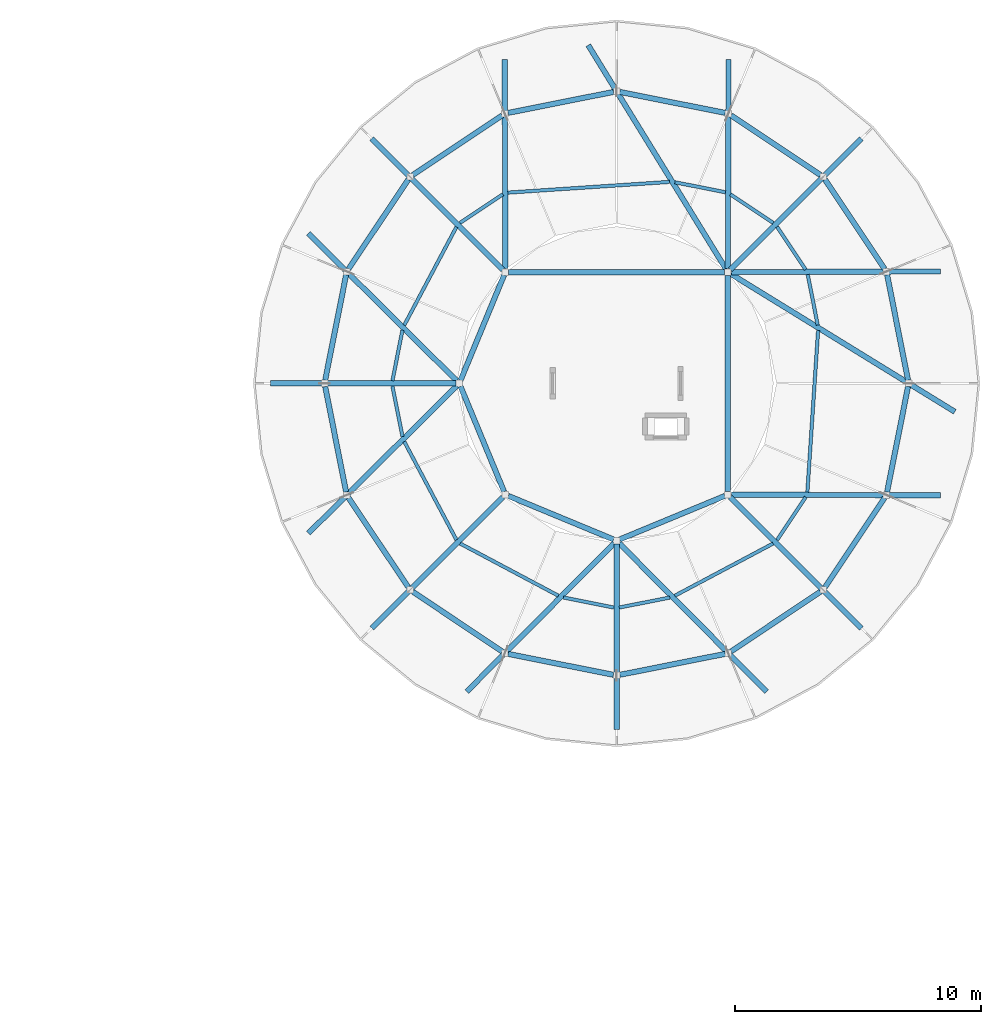
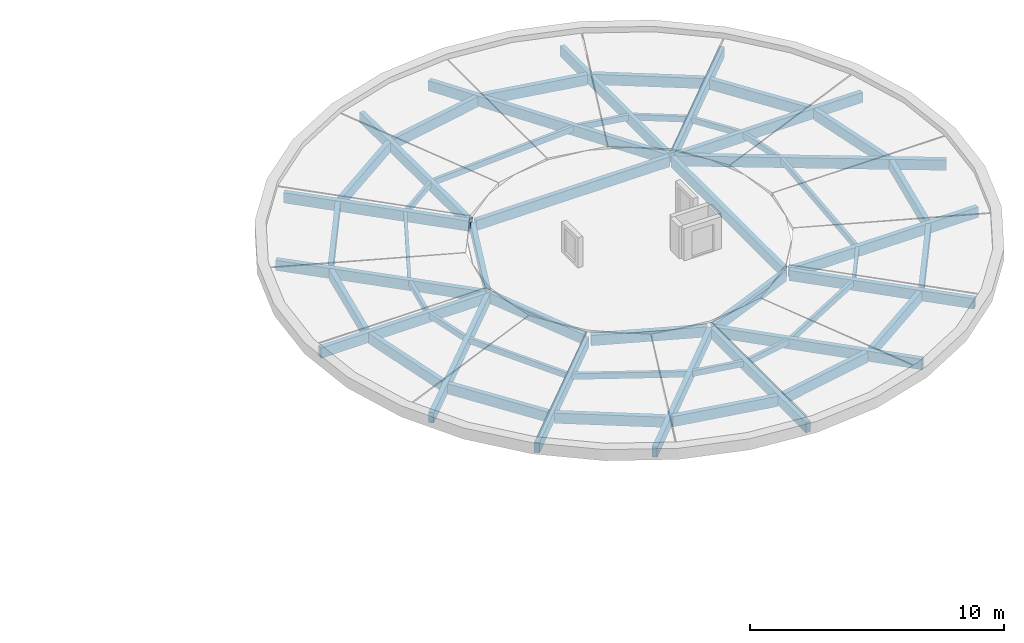
# One storey, part 8 of 30: 32 members, 22 beams.
"""IFC4 building model written with IfcOpenShell, lengths in metres."""

from ifc_helpers import new_model, si_unit, direction, frame, origin, origin_2d, place, context, subcontext, project, spatial, rectangle, extrude, material, material_profile, profile_set, type_object, element, save


model = new_model("IFC4")

# Units and contexts
model_context = context("Model", 3, precision=1e-05, world=origin(), true_north=direction((0.0, 1.0)))
body_context = subcontext(model_context, "Body", "Model", "MODEL_VIEW")
ifc_project = project(units=[si_unit("LENGTHUNIT", "METRE"), si_unit("AREAUNIT", "SQUARE_METRE"), si_unit("VOLUMEUNIT", "CUBIC_METRE"), si_unit("PLANEANGLEUNIT", "RADIAN"), si_unit("MASSUNIT", "GRAM", prefix="KILO")], contexts=[model_context])

# Site, building, storey
site_placement = place(None, origin())
site = spatial("IfcSite", under=ifc_project, at=site_placement, CompositionType="ELEMENT")
building_placement = place(site_placement, origin())
building = spatial("IfcBuilding", under=site, at=building_placement, Name="Aldenvaro Health Centre", CompositionType="ELEMENT")
storey_placement = place(building_placement, frame((0.0, 0.0, 17.14990234375)))
storey = spatial("IfcBuildingStorey", under=building, at=storey_placement, Name="L04", CompositionType="ELEMENT", Elevation=17.14990234375)

# Beams
ifc_material = material(Name="Glulam GL28h", Category="wood")
ifc_material_profile_1 = material_profile(ifc_material, rectangle(XDim=0.215087890625, YDim=0.493896484375, at=origin_2d()), Name="GL 215x494", Category="wood")
ifc_profile_set_1 = profile_set([ifc_material_profile_1], Name="Glulam GL28h")
beam_type = type_object("IfcBeamType", Name="BM-GL-494", PredefinedType="BEAM", material=ifc_profile_set_1)
beam_1_placement = place(storey_placement, frame((158.89306640625, 104.02490234375, 0.373046875), z_axis=(-1.0, 0.0, 0.0), x_axis=(0.0, -1.0, 0.0)))
element("IfcBeam", 1, at=beam_1_placement, inside=storey, type_object=beam_type, Name="D2 Roof Hub Ring 01", PredefinedType="BEAM", context=body_context, shape_type="SweptSolid", body=[
    extrude(rectangle(XDim=0.215087890625, YDim=0.493896484375, at=origin_2d()), origin(), (0.0, 0.0, 1.0), 8.7861328125),
])
for number, where, z_axis, x_axis, name in (
    (2, (149.924072265625, 103.903076171875, 0.373046875), (-0.382672872182, -0.923883906611, 0.0), (0.923883906611, -0.382672872182, 0.0), "D2 Roof Hub Ring 02"),
    (3, (148.15087890625, 99.3779296875, 0.373046875), (0.382672872182, -0.923883906611, 0.0), (0.923883906611, 0.382672872182, 0.0), "D2 Roof Hub Ring 03"),
    (4, (150.096923828125, 94.924072265625, 0.373046875), (0.923883906611, -0.382672872182, 0.0), (0.382672872182, 0.923883906611, 0.0), "D2 Roof Hub Ring 04"),
    (5, (154.6220703125, 93.15087890625, 0.373046875), (0.923883906611, 0.382672872182, 0.0), (-0.382672872182, 0.923883906611, 0.0), "D2 Roof Hub Ring 05"),
):
    element("IfcBeam", number, at=place(storey_placement, frame(where, z_axis=z_axis, x_axis=x_axis)), inside=storey, type_object=beam_type, Name=name, PredefinedType="BEAM", context=body_context, shape_type="SweptSolid", body=[
        extrude(rectangle(XDim=0.215087890625, YDim=0.493896484375, at=origin_2d()), origin(), (0.0, 0.0, 1.0), 4.6337890625),
    ])
beam_2_placement = place(storey_placement, frame((159.02490234375, 95.10693359375, 0.373046875), z_axis=(0.0, 1.0, 0.0), x_axis=(-1.0, 0.0, 0.0)))
element("IfcBeam", 6, at=beam_2_placement, inside=storey, type_object=beam_type, Name="D2 Roof Hub Ring 06", PredefinedType="BEAM", context=body_context, shape_type="SweptSolid", body=[
    extrude(rectangle(XDim=0.215087890625, YDim=0.493896484375, at=origin_2d()), origin(), (0.0, 0.0, 1.0), 8.7861328125),
])
beam_3_placement = place(storey_placement, frame((166.35400390625, 99.6298828125, 0.373046875), z_axis=(-0.194977167754, 0.9808077814, 0.0), x_axis=(-0.9808077814, -0.194977167754, 0.0)))
element("IfcBeam", 7, at=beam_3_placement, inside=storey, type_object=beam_type, Name="D2 Roof Eave Ring 01", PredefinedType="BEAM", context=body_context, shape_type="SweptSolid", body=[
    extrude(rectangle(XDim=0.215087890625, YDim=0.493896484375, at=origin_2d()), origin(), (0.0, 0.0, 1.0), 4.3701171875),
])
for number, where, z_axis, x_axis, name in (
    (8, (165.402099609375, 104.156005859375, 0.373046875), (-0.555537830231, 0.831491262241, 0.0), (-0.831491262241, -0.555537830231, 0.0), "D2 Roof Eave Ring 02"),
    (9, (162.7900390625, 107.97412109375, 0.373046875), (-0.831491262241, 0.555537830231, 0.0), (-0.555537830231, -0.831491262241, 0.0), "D2 Roof Eave Ring 03"),
):
    element("IfcBeam", number, at=place(storey_placement, frame(where, z_axis=z_axis, x_axis=x_axis)), inside=storey, type_object=beam_type, Name=name, PredefinedType="BEAM", context=body_context, shape_type="SweptSolid", body=[
        extrude(rectangle(XDim=0.215087890625, YDim=0.493896484375, at=origin_2d()), origin(), (0.0, 0.0, 1.0), 4.37060546875),
    ])
for number, where, z_axis, x_axis, name in (
    (10, (158.916015625, 110.501953125, 0.373046875), (-0.9808077814, 0.194977167754, 0.0), (-0.194977167754, -0.9808077814, 0.0), "D2 Roof Eave Ring 04"),
    (11, (154.3701171875, 111.35400390625, 0.373046875), (-0.9808077814, -0.194977167754, 0.0), (0.194977167754, -0.9808077814, 0.0), "D2 Roof Eave Ring 05"),
):
    element("IfcBeam", number, at=place(storey_placement, frame(where, z_axis=z_axis, x_axis=x_axis)), inside=storey, type_object=beam_type, Name=name, PredefinedType="BEAM", context=body_context, shape_type="SweptSolid", body=[
        extrude(rectangle(XDim=0.215087890625, YDim=0.493896484375, at=origin_2d()), origin(), (0.0, 0.0, 1.0), 4.3701171875),
    ])
for number, where, z_axis, x_axis, name in (
    (12, (149.843994140625, 110.402099609375, 0.373046875), (-0.831491262241, -0.555537830231, 0.0), (0.555537830231, -0.831491262241, 0.0), "D2 Roof Eave Ring 06"),
    (13, (146.02587890625, 107.7900390625, 0.373046875), (-0.555537830231, -0.831491262241, 0.0), (0.831491262241, -0.555537830231, 0.0), "D2 Roof Eave Ring 07"),
):
    element("IfcBeam", number, at=place(storey_placement, frame(where, z_axis=z_axis, x_axis=x_axis)), inside=storey, type_object=beam_type, Name=name, PredefinedType="BEAM", context=body_context, shape_type="SweptSolid", body=[
        extrude(rectangle(XDim=0.215087890625, YDim=0.493896484375, at=origin_2d()), origin(), (0.0, 0.0, 1.0), 4.37060546875),
    ])
for number, where, z_axis, x_axis, name in (
    (14, (143.498046875, 103.916015625, 0.373046875), (-0.194977167754, -0.9808077814, 0.0), (0.9808077814, -0.194977167754, 0.0), "D2 Roof Eave Ring 08"),
    (15, (142.64599609375, 99.3701171875, 0.373046875), (0.194977167754, -0.9808077814, 0.0), (0.9808077814, 0.194977167754, 0.0), "D2 Roof Eave Ring 09"),
):
    element("IfcBeam", number, at=place(storey_placement, frame(where, z_axis=z_axis, x_axis=x_axis)), inside=storey, type_object=beam_type, Name=name, PredefinedType="BEAM", context=body_context, shape_type="SweptSolid", body=[
        extrude(rectangle(XDim=0.215087890625, YDim=0.493896484375, at=origin_2d()), origin(), (0.0, 0.0, 1.0), 4.3701171875),
    ])
for number, where, z_axis, x_axis, name in (
    (16, (143.597900390625, 94.843994140625, 0.373046875), (0.555537830231, -0.831491262241, 0.0), (0.831491262241, 0.555537830231, 0.0), "D2 Roof Eave Ring 10"),
    (17, (146.2099609375, 91.02587890625, 0.373046875), (0.831491262241, -0.555537830231, 0.0), (0.555537830231, 0.831491262241, 0.0), "D2 Roof Eave Ring 11"),
):
    element("IfcBeam", number, at=place(storey_placement, frame(where, z_axis=z_axis, x_axis=x_axis)), inside=storey, type_object=beam_type, Name=name, PredefinedType="BEAM", context=body_context, shape_type="SweptSolid", body=[
        extrude(rectangle(XDim=0.215087890625, YDim=0.493896484375, at=origin_2d()), origin(), (0.0, 0.0, 1.0), 4.37060546875),
    ])
for number, where, z_axis, x_axis, name in (
    (18, (150.083984375, 88.498046875, 0.373046875), (0.9808077814, -0.194977167754, 0.0), (0.194977167754, 0.9808077814, 0.0), "D2 Roof Eave Ring 12"),
    (19, (154.6298828125, 87.64599609375, 0.373046875), (0.9808077814, 0.194977167754, 0.0), (-0.194977167754, 0.9808077814, 0.0), "D2 Roof Eave Ring 13"),
):
    element("IfcBeam", number, at=place(storey_placement, frame(where, z_axis=z_axis, x_axis=x_axis)), inside=storey, type_object=beam_type, Name=name, PredefinedType="BEAM", context=body_context, shape_type="SweptSolid", body=[
        extrude(rectangle(XDim=0.215087890625, YDim=0.493896484375, at=origin_2d()), origin(), (0.0, 0.0, 1.0), 4.3701171875),
    ])
for number, where, z_axis, x_axis, name in (
    (20, (159.156005859375, 88.597900390625, 0.373046875), (0.831491262241, 0.555537830231, 0.0), (-0.555537830231, 0.831491262241, 0.0), "D2 Roof Eave Ring 14"),
    (21, (162.97412109375, 91.2099609375, 0.373046875), (0.555537830231, 0.831491262241, 0.0), (-0.831491262241, 0.555537830231, 0.0), "D2 Roof Eave Ring 15"),
):
    element("IfcBeam", number, at=place(storey_placement, frame(where, z_axis=z_axis, x_axis=x_axis)), inside=storey, type_object=beam_type, Name=name, PredefinedType="BEAM", context=body_context, shape_type="SweptSolid", body=[
        extrude(rectangle(XDim=0.215087890625, YDim=0.493896484375, at=origin_2d()), origin(), (0.0, 0.0, 1.0), 4.37060546875),
    ])
beam_4_placement = place(storey_placement, frame((165.501953125, 95.083984375, 0.373046875), z_axis=(0.194977167754, 0.9808077814, 0.0), x_axis=(-0.9808077814, 0.194977167754, 0.0)))
element("IfcBeam", 22, at=beam_4_placement, inside=storey, type_object=beam_type, Name="D2 Roof Eave Ring 16", PredefinedType="BEAM", context=body_context, shape_type="SweptSolid", body=[
    extrude(rectangle(XDim=0.215087890625, YDim=0.493896484375, at=origin_2d()), origin(), (0.0, 0.0, 1.0), 4.3701171875),
])

# Members
ifc_material_profile_2 = material_profile(ifc_material, rectangle(XDim=0.139892578125, YDim=0.280029296875, at=origin_2d()), Name="GL 140x280", Category="wood")
ifc_profile_set_2 = profile_set([ifc_material_profile_2], Name="Glulam GL28h")
member_type_1 = type_object("IfcMemberType", Name="MEM-PR-280", PredefinedType="PURLIN", material=ifc_profile_set_2)
member_1_placement = place(storey_placement, frame((162.680908203125, 101.8701171875, 0.47998046875), z_axis=(-0.194907603839, 0.980821607616, 0.0), x_axis=(-0.980821607616, -0.194907603839, 0.0)))
element("IfcMember", 23, at=member_1_placement, inside=storey, type_object=member_type_1, Name="D2 Roof Purlin 01", PredefinedType="PURLIN", context=body_context, shape_type="SweptSolid", body=[
    extrude(rectangle(XDim=0.139892578125, YDim=0.280029296875, at=origin_2d()), origin(), (0.0, 0.0, 1.0), 2.09814453125),
])
for number, where, z_axis, x_axis, name in (
    (24, (162.18896484375, 104.126953125, 0.47998046875), (-0.555452080879, 0.831548546898, 0.0), (-0.831548546898, -0.555452080879, 0.0), "D2 Roof Purlin 02"),
    (25, (160.87109375, 106.02392578125, 0.47998046875), (-0.831548546898, 0.555452080879, 0.0), (-0.555452080879, -0.831548546898, 0.0), "D2 Roof Purlin 03"),
):
    element("IfcMember", number, at=place(storey_placement, frame(where, z_axis=z_axis, x_axis=x_axis)), inside=storey, type_object=member_type_1, Name=name, PredefinedType="PURLIN", context=body_context, shape_type="SweptSolid", body=[
        extrude(rectangle(XDim=0.139892578125, YDim=0.280029296875, at=origin_2d()), origin(), (0.0, 0.0, 1.0), 2.097412109375),
    ])
member_2_placement = place(storey_placement, frame((158.927978515625, 107.27197265625, 0.47998046875), z_axis=(-0.980821607616, 0.194907603839, 0.0), x_axis=(-0.194907603839, -0.980821607616, 0.0)))
element("IfcMember", 26, at=member_2_placement, inside=storey, type_object=member_type_1, Name="D2 Roof Purlin 04", PredefinedType="PURLIN", context=body_context, shape_type="SweptSolid", body=[
    extrude(rectangle(XDim=0.139892578125, YDim=0.280029296875, at=origin_2d()), origin(), (0.0, 0.0, 1.0), 2.09814453125),
])
member_3_placement = place(storey_placement, frame((156.653076171875, 107.695068359375, 0.47998046875), z_axis=(-0.997801184708, -0.066278169832, 0.0), x_axis=(0.066278169832, -0.997801184708, 0.0)))
element("IfcMember", 27, at=member_3_placement, inside=storey, type_object=member_type_1, Name="D2 Roof Purlin 05", PredefinedType="PURLIN", context=body_context, shape_type="SweptSolid", body=[
    extrude(rectangle(XDim=0.139892578125, YDim=0.280029296875, at=origin_2d()), origin(), (0.0, 0.0, 1.0), 6.593505859375),
])
member_4_placement = place(storey_placement, frame((149.873046875, 107.18896484375, 0.47998046875), z_axis=(-0.831548546898, -0.555452080879, 0.0), x_axis=(0.555452080879, -0.831548546898, 0.0)))
element("IfcMember", 28, at=member_4_placement, inside=storey, type_object=member_type_1, Name="D2 Roof Purlin 06", PredefinedType="PURLIN", context=body_context, shape_type="SweptSolid", body=[
    extrude(rectangle(XDim=0.139892578125, YDim=0.280029296875, at=origin_2d()), origin(), (0.0, 0.0, 1.0), 2.097412109375),
])
member_5_placement = place(storey_placement, frame((147.986083984375, 105.864990234375, 0.47998046875), z_axis=(-0.469119710487, -0.883134586137, 0.0), x_axis=(0.883134586137, -0.469119710487, 0.0)))
element("IfcMember", 29, at=member_5_placement, inside=storey, type_object=member_type_1, Name="D2 Roof Purlin 07", PredefinedType="PURLIN", context=body_context, shape_type="SweptSolid", body=[
    extrude(rectangle(XDim=0.139892578125, YDim=0.280029296875, at=origin_2d()), origin(), (0.0, 0.0, 1.0), 4.5234375),
])
for number, where, z_axis, x_axis, name in (
    (30, (145.791015625, 101.6650390625, 0.47998046875), (-0.195422210503, -0.980719205299, 0.0), (0.980719205299, -0.195422210503, 0.0), "D2 Roof Purlin 08"),
    (31, (145.381103515625, 99.39208984375, 0.47998046875), (0.195422210503, -0.980719205299, 0.0), (0.980719205299, 0.195422210503, 0.0), "D2 Roof Purlin 09"),
):
    element("IfcMember", number, at=place(storey_placement, frame(where, z_axis=z_axis, x_axis=x_axis)), inside=storey, type_object=member_type_1, Name=name, PredefinedType="PURLIN", context=body_context, shape_type="SweptSolid", body=[
        extrude(rectangle(XDim=0.139892578125, YDim=0.280029296875, at=origin_2d()), origin(), (0.0, 0.0, 1.0), 2.09765625),
    ])
for number, where, z_axis, x_axis, name in (
    (32, (145.864013671875, 97.1298828125, 0.47998046875), (0.469119710487, -0.883134586137, 0.0), (0.883134586137, 0.469119710487, 0.0), "D2 Roof Purlin 10"),
    (33, (148.135009765625, 92.986083984375, 0.47998046875), (0.883134586137, -0.469119710487, 0.0), (0.469119710487, 0.883134586137, 0.0), "D2 Roof Purlin 11"),
):
    element("IfcMember", number, at=place(storey_placement, frame(where, z_axis=z_axis, x_axis=x_axis)), inside=storey, type_object=member_type_1, Name=name, PredefinedType="PURLIN", context=body_context, shape_type="SweptSolid", body=[
        extrude(rectangle(XDim=0.139892578125, YDim=0.280029296875, at=origin_2d()), origin(), (0.0, 0.0, 1.0), 4.5234375),
    ])
for number, where, z_axis, x_axis, name in (
    (34, (152.3349609375, 90.791015625, 0.47998046875), (0.980719205299, -0.195422210503, 0.0), (0.195422210503, 0.980719205299, 0.0), "D2 Roof Purlin 12"),
    (35, (154.60791015625, 90.381103515625, 0.47998046875), (0.980719205299, 0.195422210503, 0.0), (-0.195422210503, 0.980719205299, 0.0), "D2 Roof Purlin 13"),
):
    element("IfcMember", number, at=place(storey_placement, frame(where, z_axis=z_axis, x_axis=x_axis)), inside=storey, type_object=member_type_1, Name=name, PredefinedType="PURLIN", context=body_context, shape_type="SweptSolid", body=[
        extrude(rectangle(XDim=0.139892578125, YDim=0.280029296875, at=origin_2d()), origin(), (0.0, 0.0, 1.0), 2.09765625),
    ])
member_6_placement = place(storey_placement, frame((156.8701171875, 90.864013671875, 0.47998046875), z_axis=(0.883134586137, 0.469119710487, 0.0), x_axis=(-0.469119710487, 0.883134586137, 0.0)))
element("IfcMember", 36, at=member_6_placement, inside=storey, type_object=member_type_1, Name="D2 Roof Purlin 14", PredefinedType="PURLIN", context=body_context, shape_type="SweptSolid", body=[
    extrude(rectangle(XDim=0.139892578125, YDim=0.280029296875, at=origin_2d()), origin(), (0.0, 0.0, 1.0), 4.5234375),
])
member_7_placement = place(storey_placement, frame((161.02392578125, 93.12890625, 0.47998046875), z_axis=(0.555452080879, 0.831548546898, 0.0), x_axis=(-0.831548546898, 0.555452080879, 0.0)))
element("IfcMember", 37, at=member_7_placement, inside=storey, type_object=member_type_1, Name="D2 Roof Purlin 15", PredefinedType="PURLIN", context=body_context, shape_type="SweptSolid", body=[
    extrude(rectangle(XDim=0.139892578125, YDim=0.280029296875, at=origin_2d()), origin(), (0.0, 0.0, 1.0), 2.097412109375),
])
member_8_placement = place(storey_placement, frame((162.258056640625, 95.073974609375, 0.47998046875), z_axis=(0.066278169832, 0.997801184708, 0.0), x_axis=(-0.997801184708, 0.066278169832, 0.0)))
element("IfcMember", 38, at=member_8_placement, inside=storey, type_object=member_type_1, Name="D2 Roof Purlin 16", PredefinedType="PURLIN", context=body_context, shape_type="SweptSolid", body=[
    extrude(rectangle(XDim=0.139892578125, YDim=0.280029296875, at=origin_2d()), origin(), (0.0, 0.0, 1.0), 6.593505859375),
])
ifc_material_profile_3 = material_profile(ifc_material, rectangle(XDim=0.215087890625, YDim=0.493896484375, at=origin_2d()), Name="GL 215x494", Category="wood")
ifc_profile_set_3 = profile_set([ifc_material_profile_3], Name="Glulam GL28h")
member_type_2 = type_object("IfcMemberType", Name="MEM-RF-494", PredefinedType="RAFTER", material=ifc_profile_set_3)
member_9_placement = place(storey_placement, frame((168.25390625, 98.346923828125, 0.373046875), z_axis=(-0.851703768204, 0.524023559801, 0.0), x_axis=(-0.524023559801, -0.851703768204, 0.0)))
element("IfcMember", 39, at=member_9_placement, inside=storey, type_object=member_type_2, Name="D2 Radial Overhang Rafter 01", PredefinedType="RAFTER", context=body_context, shape_type="SweptSolid", body=[
    extrude(rectangle(XDim=0.215087890625, YDim=0.493896484375, at=origin_2d()), origin(), (0.0, 0.0, 1.0), 10.696044921875),
])
member_10_placement = place(storey_placement, frame((167.676025390625, 104.052978515625, 0.373046875), z_axis=(-0.999994558953, -0.003298797346, 0.0), x_axis=(0.003298797346, -0.999994558953, 0.0)))
element("IfcMember", 40, at=member_10_placement, inside=storey, type_object=member_type_2, Name="D2 Radial Overhang Rafter 02", PredefinedType="RAFTER", context=body_context, shape_type="SweptSolid", body=[
    extrude(rectangle(XDim=0.215087890625, YDim=0.493896484375, at=origin_2d()), origin(), (0.0, 0.0, 1.0), 8.510986328125),
])
member_11_placement = place(storey_placement, frame((164.4560546875, 109.4560546875, 0.373046875), z_axis=(-0.707106781187, -0.707106781187, 0.0), x_axis=(0.707106781187, -0.707106781187, 0.0)))
element("IfcMember", 41, at=member_11_placement, inside=storey, type_object=member_type_2, Name="D2 Radial Overhang Rafter 03", PredefinedType="RAFTER", context=body_context, shape_type="SweptSolid", body=[
    extrude(rectangle(XDim=0.215087890625, YDim=0.493896484375, at=origin_2d()), origin(), (0.0, 0.0, 1.0), 7.54052734375),
])
member_12_placement = place(storey_placement, frame((159.052978515625, 112.676025390625, 0.373046875), z_axis=(-0.003298797346, -0.999994558953, 0.0), x_axis=(0.999994558953, -0.003298797346, 0.0)))
element("IfcMember", 42, at=member_12_placement, inside=storey, type_object=member_type_2, Name="D2 Radial Overhang Rafter 04", PredefinedType="RAFTER", context=body_context, shape_type="SweptSolid", body=[
    extrude(rectangle(XDim=0.215087890625, YDim=0.493896484375, at=origin_2d()), origin(), (0.0, 0.0, 1.0), 8.510986328125),
])
member_13_placement = place(storey_placement, frame((153.346923828125, 113.25390625, 0.373046875), z_axis=(0.524023559801, -0.851703768204, 0.0), x_axis=(0.851703768204, 0.524023559801, 0.0)))
element("IfcMember", 43, at=member_13_placement, inside=storey, type_object=member_type_2, Name="D2 Radial Overhang Rafter 05", PredefinedType="RAFTER", context=body_context, shape_type="SweptSolid", body=[
    extrude(rectangle(XDim=0.215087890625, YDim=0.493896484375, at=origin_2d()), origin(), (0.0, 0.0, 1.0), 10.696044921875),
])
member_14_placement = place(storey_placement, frame((149.947021484375, 112.676025390625, 0.373046875), z_axis=(0.003298797346, -0.999994558953, 0.0), x_axis=(0.999994558953, 0.003298797346, 0.0)))
element("IfcMember", 44, at=member_14_placement, inside=storey, type_object=member_type_2, Name="D2 Radial Overhang Rafter 06", PredefinedType="RAFTER", context=body_context, shape_type="SweptSolid", body=[
    extrude(rectangle(XDim=0.215087890625, YDim=0.493896484375, at=origin_2d()), origin(), (0.0, 0.0, 1.0), 8.510986328125),
])
member_15_placement = place(storey_placement, frame((144.5439453125, 109.4560546875, 0.373046875), z_axis=(0.707106781187, -0.707106781187, 0.0), x_axis=(0.707106781187, 0.707106781187, 0.0)))
element("IfcMember", 45, at=member_15_placement, inside=storey, type_object=member_type_2, Name="D2 Radial Overhang Rafter 07", PredefinedType="RAFTER", context=body_context, shape_type="SweptSolid", body=[
    extrude(rectangle(XDim=0.215087890625, YDim=0.493896484375, at=origin_2d()), origin(), (0.0, 0.0, 1.0), 7.54052734375),
])
member_16_placement = place(storey_placement, frame((141.962890625, 105.596923828125, 0.373046875), z_axis=(0.709469440062, -0.704736201439, 0.0), x_axis=(0.704736201439, 0.709469440062, 0.0)))
element("IfcMember", 46, at=member_16_placement, inside=storey, type_object=member_type_2, Name="D2 Radial Overhang Rafter 08", PredefinedType="RAFTER", context=body_context, shape_type="SweptSolid", body=[
    extrude(rectangle(XDim=0.215087890625, YDim=0.493896484375, at=origin_2d()), origin(), (0.0, 0.0, 1.0), 8.5107421875),
])
member_17_placement = place(storey_placement, frame((140.419921875, 99.5, 0.373046875), z_axis=(1.0, 0.0, 0.0), x_axis=(0.0, 1.0, 0.0)))
element("IfcMember", 47, at=member_17_placement, inside=storey, type_object=member_type_2, Name="D2 Radial Overhang Rafter 09", PredefinedType="RAFTER", context=body_context, shape_type="SweptSolid", body=[
    extrude(rectangle(XDim=0.215087890625, YDim=0.493896484375, at=origin_2d()), origin(), (0.0, 0.0, 1.0), 7.5400390625),
])
member_18_placement = place(storey_placement, frame((141.962890625, 93.403076171875, 0.373046875), z_axis=(0.709469440062, 0.704736201439, 0.0), x_axis=(-0.704736201439, 0.709469440062, 0.0)))
element("IfcMember", 48, at=member_18_placement, inside=storey, type_object=member_type_2, Name="D2 Radial Overhang Rafter 10", PredefinedType="RAFTER", context=body_context, shape_type="SweptSolid", body=[
    extrude(rectangle(XDim=0.215087890625, YDim=0.493896484375, at=origin_2d()), origin(), (0.0, 0.0, 1.0), 8.5107421875),
])
member_19_placement = place(storey_placement, frame((144.5439453125, 89.5439453125, 0.373046875), z_axis=(0.707106781187, 0.707106781187, 0.0), x_axis=(-0.707106781187, 0.707106781187, 0.0)))
element("IfcMember", 49, at=member_19_placement, inside=storey, type_object=member_type_2, Name="D2 Radial Overhang Rafter 11", PredefinedType="RAFTER", context=body_context, shape_type="SweptSolid", body=[
    extrude(rectangle(XDim=0.215087890625, YDim=0.493896484375, at=origin_2d()), origin(), (0.0, 0.0, 1.0), 7.54052734375),
])
member_20_placement = place(storey_placement, frame((148.403076171875, 86.962890625, 0.373046875), z_axis=(0.704736201439, 0.709469440062, 0.0), x_axis=(-0.709469440062, 0.704736201439, 0.0)))
element("IfcMember", 50, at=member_20_placement, inside=storey, type_object=member_type_2, Name="D2 Radial Overhang Rafter 12", PredefinedType="RAFTER", context=body_context, shape_type="SweptSolid", body=[
    extrude(rectangle(XDim=0.215087890625, YDim=0.493896484375, at=origin_2d()), origin(), (0.0, 0.0, 1.0), 8.5107421875),
])
member_21_placement = place(storey_placement, frame((154.5, 85.419921875, 0.373046875), z_axis=(0.0, 1.0, 0.0), x_axis=(-1.0, 0.0, 0.0)))
element("IfcMember", 51, at=member_21_placement, inside=storey, type_object=member_type_2, Name="D2 Radial Overhang Rafter 13", PredefinedType="RAFTER", context=body_context, shape_type="SweptSolid", body=[
    extrude(rectangle(XDim=0.215087890625, YDim=0.493896484375, at=origin_2d()), origin(), (0.0, 0.0, 1.0), 7.5400390625),
])
member_22_placement = place(storey_placement, frame((160.596923828125, 86.962890625, 0.373046875), z_axis=(-0.704736201439, 0.709469440062, 0.0), x_axis=(-0.709469440062, -0.704736201439, 0.0)))
element("IfcMember", 52, at=member_22_placement, inside=storey, type_object=member_type_2, Name="D2 Radial Overhang Rafter 14", PredefinedType="RAFTER", context=body_context, shape_type="SweptSolid", body=[
    extrude(rectangle(XDim=0.215087890625, YDim=0.493896484375, at=origin_2d()), origin(), (0.0, 0.0, 1.0), 8.5107421875),
])
member_23_placement = place(storey_placement, frame((164.4560546875, 89.5439453125, 0.373046875), z_axis=(-0.707106781187, 0.707106781187, 0.0), x_axis=(-0.707106781187, -0.707106781187, 0.0)))
element("IfcMember", 53, at=member_23_placement, inside=storey, type_object=member_type_2, Name="D2 Radial Overhang Rafter 15", PredefinedType="RAFTER", context=body_context, shape_type="SweptSolid", body=[
    extrude(rectangle(XDim=0.215087890625, YDim=0.493896484375, at=origin_2d()), origin(), (0.0, 0.0, 1.0), 7.54052734375),
])
member_24_placement = place(storey_placement, frame((167.676025390625, 94.947021484375, 0.373046875), z_axis=(-0.999994558953, 0.003298797346, 0.0), x_axis=(-0.003298797346, -0.999994558953, 0.0)))
element("IfcMember", 54, at=member_24_placement, inside=storey, type_object=member_type_2, Name="D2 Radial Overhang Rafter 16", PredefinedType="RAFTER", context=body_context, shape_type="SweptSolid", body=[
    extrude(rectangle(XDim=0.215087890625, YDim=0.493896484375, at=origin_2d()), origin(), (0.0, 0.0, 1.0), 8.510986328125),
])

save(model, "model.ifc")
